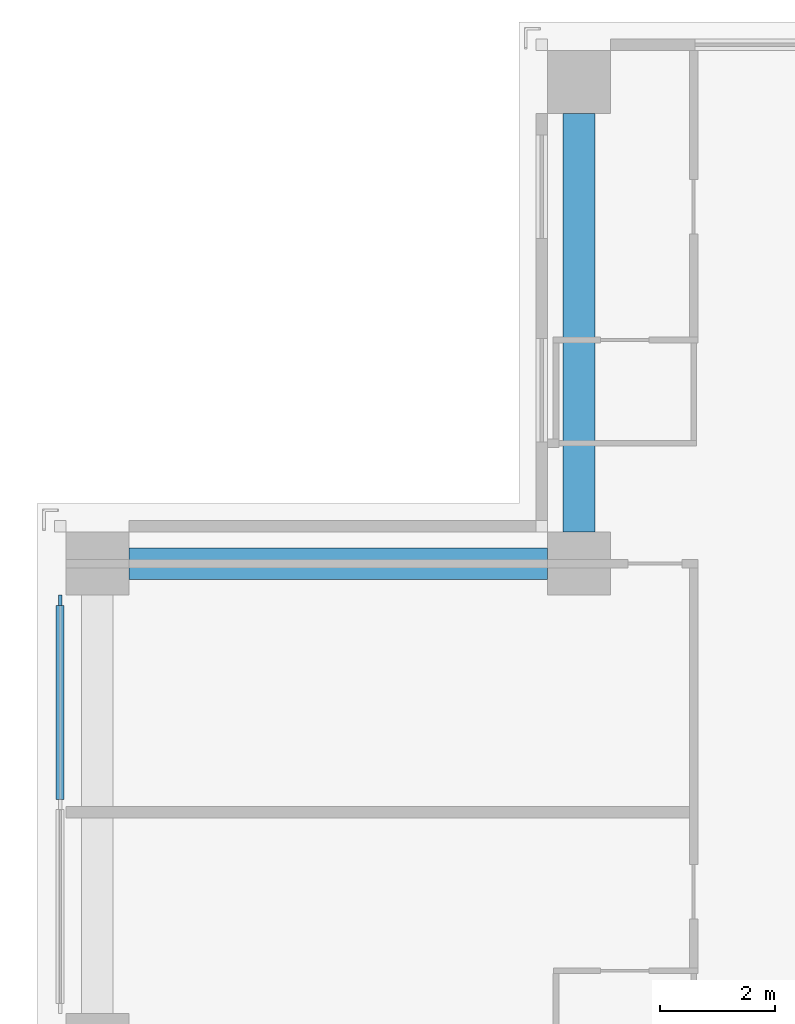
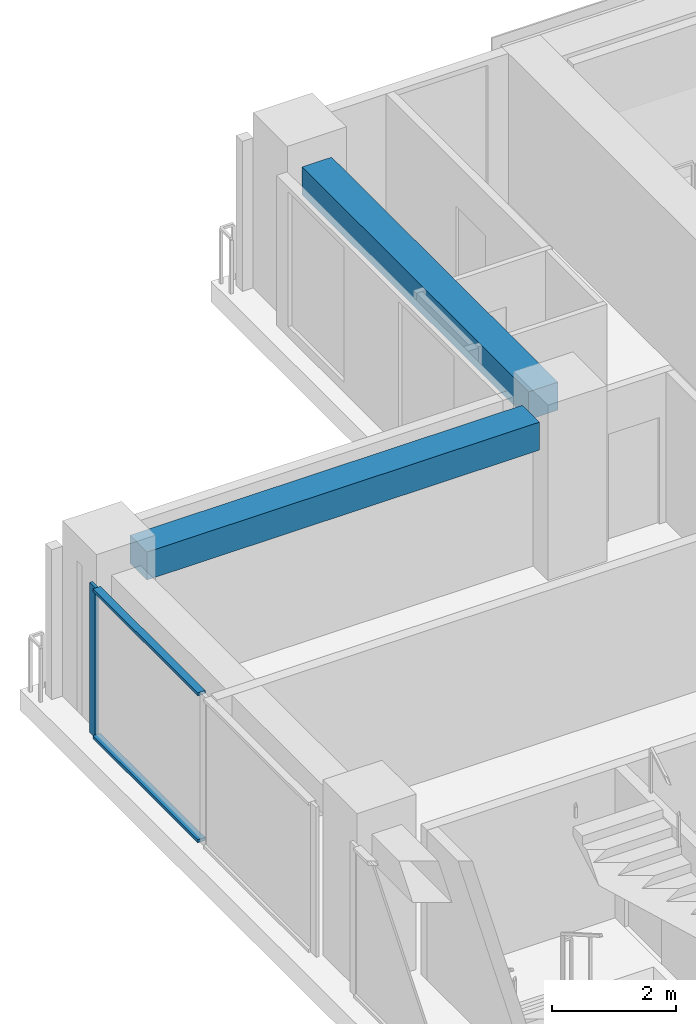
# One storey, part 6 of 16: 3 members, 2 beams, 1 element without a shape of its own.
"""IFC4 building model written with IfcOpenShell, lengths in metres."""

import ifcopenshell
import ifcopenshell.guid

model = None  # the IFC model being written
_history = None  # IfcOwnerHistory: only IFC2X3 demands one
_inside = {}  # id of a spatial element -> (the spatial element, [elements in it])
_under = {}  # id of a project, library or spatial element -> (it, [spatial elements below it])
_declared = {}  # id of a project -> (the project, [libraries it declares])
_typed = {}  # id of a type object -> (the type object, [elements of that type])
_made_of = {}  # id of a material, layer set ... -> (it, [elements and type objects made of it])


def new_model(schema):
    """Start an empty IFC model of exactly this schema.

    Asked for "IFC4X3", IfcOpenShell would pick the latest addendum, in which some entities
    have other attributes; the version numbers below select the first issue.
    IFC2X3 requires an IfcOwnerHistory on every rooted entity: one is made here for all.
    """
    global model, _history
    if schema == "IFC4X3":
        model = ifcopenshell.file(schema_version=(4, 3, 0, 0))
    else:
        model = ifcopenshell.file(schema=schema)
    _inside.clear()
    _under.clear()
    _declared.clear()
    _typed.clear()
    _made_of.clear()
    _history = None
    if model.schema == "IFC2X3":
        org = make("IfcOrganization", Name="unknown")
        user = make(
            "IfcPersonAndOrganization",
            ThePerson=make("IfcPerson", FamilyName="unknown"),
            TheOrganization=org,
        )
        app = make(
            "IfcApplication",
            ApplicationDeveloper=org,
            Version="unknown",
            ApplicationFullName="unknown",
            ApplicationIdentifier="unknown",
        )
        _history = make(
            "IfcOwnerHistory",
            OwningUser=user,
            OwningApplication=app,
            ChangeAction="ADDED",
            CreationDate=0,
        )
    return model


def make(cls, **values):
    """One entity of the class cls with the attributes given. An attribute that is None is left unset."""
    return model.create_entity(
        cls, **{name: value for name, value in values.items() if value is not None}
    )


def rooted(cls, **values):
    """An entity with a GlobalId (a new one), such as an element, a storey or a relation."""
    return make(cls, GlobalId=ifcopenshell.guid.new(), OwnerHistory=_history, **values)


def si_unit(unit_type, name, prefix=None):
    """IfcSIUnit, for example si_unit("LENGTHUNIT", "METRE", prefix="MILLI")."""
    return make("IfcSIUnit", UnitType=unit_type, Prefix=prefix, Name=name)


def assignment(units):
    """IfcUnitAssignment: the units of a project."""
    return None if units is None else make("IfcUnitAssignment", Units=units)


def point(xyz):
    """IfcCartesianPoint."""
    return None if xyz is None else make("IfcCartesianPoint", Coordinates=xyz)


def direction(xyz):
    """IfcDirection."""
    return None if xyz is None else make("IfcDirection", DirectionRatios=xyz)


def frame(location, z_axis=None, x_axis=None):
    """IfcAxis2Placement3D, a coordinate frame: its origin and axes. An axis left out is left unset."""
    return make(
        "IfcAxis2Placement3D",
        Location=point(location),
        Axis=direction(z_axis),
        RefDirection=direction(x_axis),
    )


def frame_2d(location, x_axis=None):
    """IfcAxis2Placement2D, a coordinate frame in the plane: its origin and x axis."""
    return make(
        "IfcAxis2Placement2D", Location=point(location), RefDirection=direction(x_axis)
    )


def origin():
    """The frame at (0, 0, 0) with its axes left unset."""
    return frame((0.0, 0.0, 0.0))


def origin_2d():
    """The frame at (0, 0) in the plane with its x axis left unset."""
    return frame_2d((0.0, 0.0))


def place(relative_to, where):
    """IfcLocalPlacement: puts the frame where relative to a parent placement (None: the world)."""
    return make(
        "IfcLocalPlacement", PlacementRelTo=relative_to, RelativePlacement=where
    )


def context(
    kind, dimensions, precision=None, world=None, true_north=None, identifier=None
):
    """IfcGeometricRepresentationContext, for example the 3D "Model" context."""
    return make(
        "IfcGeometricRepresentationContext",
        ContextIdentifier=identifier,
        ContextType=kind,
        CoordinateSpaceDimension=dimensions,
        Precision=precision,
        WorldCoordinateSystem=world,
        TrueNorth=true_north,
    )


def subcontext(parent, identifier, kind, view, scale=None):
    """IfcGeometricRepresentationSubContext, for example "Body" below "Model"."""
    return make(
        "IfcGeometricRepresentationSubContext",
        ContextIdentifier=identifier,
        ContextType=kind,
        ParentContext=parent,
        TargetScale=scale,
        TargetView=view,
    )


def project(units=None, contexts=None):
    """IfcProject with its units and contexts."""
    return rooted(
        "IfcProject",
        Name="project",
        RepresentationContexts=contexts,
        UnitsInContext=assignment(units),
    )


def spatial(cls, under=None, at=None, **own):
    """A site, building, storey or space (cls), placed at a placement, below another one or the project."""
    s = rooted(cls, ObjectPlacement=at, **own)
    if under is not None:
        _under.setdefault(under.id(), (under, []))[1].append(s)
    return s


def profile(cls, at=None, kind="AREA", **sizes):
    """A parametric profile (cls). Its sizes go by their IFC names, for example OverallWidth=200.0."""
    return make(cls, ProfileType=kind, Position=at, **sizes)


def rectangle(**sizes):
    """IfcRectangleProfileDef."""
    return profile("IfcRectangleProfileDef", **sizes)


def extrude(swept, where, along, depth):
    """IfcExtrudedAreaSolid: the profile swept, set in the frame where, extruded along a direction by depth."""
    return make(
        "IfcExtrudedAreaSolid",
        SweptArea=swept,
        Position=where,
        ExtrudedDirection=direction(along),
        Depth=depth,
    )


def shape(context_of_items, identifier, shape_type, items):
    """IfcShapeRepresentation: the items that make up one representation, for example the "Body"."""
    return make(
        "IfcShapeRepresentation",
        ContextOfItems=context_of_items,
        RepresentationIdentifier=identifier,
        RepresentationType=shape_type,
        Items=items,
    )


def material(Name=None, Category=None):
    """IfcMaterial."""
    return make("IfcMaterial", Name=Name, Category=Category)


def material_profile(
    of_material, cross_section, Name=None, Category=None, Priority=None
):
    """IfcMaterialProfile: a cross section and its material."""
    return make(
        "IfcMaterialProfile",
        Name=Name,
        Material=of_material,
        Profile=cross_section,
        Priority=Priority,
        Category=Category,
    )


def profile_set(profiles, Name=None, composite=None):
    """IfcMaterialProfileSet."""
    return make(
        "IfcMaterialProfileSet",
        Name=Name,
        MaterialProfiles=profiles,
        CompositeProfile=composite,
    )


def made_of(thing, what):
    """Note that an element or type object is made of a material, layer set ...; save() writes the relation."""
    if what is not None:
        _made_of.setdefault(what.id(), (what, []))[1].append(thing)
    return thing


def type_object(cls, material=None, **own):
    """A type object (cls), such as IfcWallType, which elements share."""
    return made_of(rooted(cls, **own), material)


def element(
    cls,
    number,
    at=None,
    inside=None,
    cuts=None,
    type_object=None,
    material=None,
    context=None,
    identifier="Body",
    shape_type=None,
    held_by="IfcProductDefinitionShape",
    body=None,
    shapes=None,
    **own,
):
    """One element of the class cls, such as IfcWall. Its Tag is "e" and its number.

    at: its placement. inside: the storey or other place that contains it. cuts: it is an
    opening in that element (IfcRelVoidsElement). A single representation is given by context,
    identifier, shape_type and body (its items); several are given by shapes. held_by: the class
    of the entity that holds the representations. save() writes the other relations.
    """
    e = rooted(cls, Tag="e%d" % number, ObjectPlacement=at, **own)
    if body is not None:
        shapes = [shape(context, identifier, shape_type, body)]
    if shapes is not None:
        e.Representation = make(held_by, Representations=shapes)
    if inside is not None:
        _inside.setdefault(inside.id(), (inside, []))[1].append(e)
    if cuts is not None:
        rooted(
            "IfcRelVoidsElement", RelatingBuildingElement=cuts, RelatedOpeningElement=e
        )
    if type_object is not None:
        _typed.setdefault(type_object.id(), (type_object, []))[1].append(e)
    return made_of(e, material)


def aggregate(whole, parts):
    """IfcRelAggregates: a whole, such as a stair, and the parts it consists of."""
    return rooted("IfcRelAggregates", RelatingObject=whole, RelatedObjects=parts)


def save(model, path):
    """Write the relations noted so far, then the file.

    IfcRelAggregates (storeys below a building ...), IfcRelContainedInSpatialStructure (elements
    in a storey), IfcRelDefinesByType, IfcRelAssociatesMaterial and IfcRelDeclares: one each for
    every whole, place, type object, material and project.
    """
    for whole, parts in _under.values():
        aggregate(whole, parts)
    for where, things in _inside.values():
        rooted(
            "IfcRelContainedInSpatialStructure",
            RelatedElements=things,
            RelatingStructure=where,
        )
    for kind, things in _typed.values():
        rooted("IfcRelDefinesByType", RelatedObjects=things, RelatingType=kind)
    for what, things in _made_of.values():
        rooted("IfcRelAssociatesMaterial", RelatedObjects=things, RelatingMaterial=what)
    for by, libraries in _declared.values():
        rooted("IfcRelDeclares", RelatingContext=by, RelatedDefinitions=libraries)
    model.write(path)


model = new_model("IFC4")

# Units and contexts
model_context = context("Model", 3, precision=1e-05, world=origin(), true_north=direction((0.0, 1.0)))
body_context = subcontext(model_context, "Body", "Model", "MODEL_VIEW")
ifc_project = project(units=[si_unit("LENGTHUNIT", "METRE"), si_unit("AREAUNIT", "SQUARE_METRE"), si_unit("VOLUMEUNIT", "CUBIC_METRE"), si_unit("PLANEANGLEUNIT", "RADIAN"), si_unit("MASSUNIT", "GRAM", prefix="KILO")], contexts=[model_context])

# Site, building, storey
site_placement = place(None, origin())
site = spatial("IfcSite", under=ifc_project, at=site_placement, CompositionType="ELEMENT")
building_placement = place(site_placement, origin())
building = spatial("IfcBuilding", under=site, at=building_placement, Name="Vermilion Ogive Tower", CompositionType="ELEMENT")
storey_placement = place(building_placement, frame((0.0, 0.0, 167.60009765625)))
storey = spatial("IfcBuildingStorey", under=building, at=storey_placement, Name="L43", CompositionType="ELEMENT", Elevation=167.60009765625)

# Curtain wall, members
ifc_material_1 = material(Name="Low-iron laminated glazing in aluminium frame", Category="aluminium")
curtain_wall_type = type_object("IfcCurtainWallType", Name="Curtain wall CW7", PredefinedType="NOTDEFINED", material=ifc_material_1)
curtain_wall_placement = place(storey_placement, origin())
curtain_wall = element("IfcCurtainWall", 1, at=curtain_wall_placement, inside=storey, type_object=curtain_wall_type, Name="Glazed skin W1", PredefinedType="NOTDEFINED")
ifc_material_2 = material(Name="Aluminium mullion", Category="aluminium")
ifc_material_profile_1 = material_profile(ifc_material_2, rectangle(XDim=0.06005859375, YDim=0.179931640625, at=origin_2d()), Name="AL 60x180")
ifc_profile_set_1 = profile_set([ifc_material_profile_1], Name="Aluminium mullion")
member_type_1 = type_object("IfcMemberType", Name="CW7 mullion 60x180", PredefinedType="MULLION", material=ifc_profile_set_1)
member_1_placement = place(storey_placement, frame((-21.64990234375, 11.9599609375, 0.0), z_axis=(0.0, 0.0, 1.0), x_axis=(1.0, 0.0, 0.0)))
member_1 = element("IfcMember", 2, at=member_1_placement, type_object=member_type_1, Name="CW7-W1 mullion 1", PredefinedType="MULLION", context=body_context, shape_type="SweptSolid", body=[
    extrude(rectangle(XDim=0.06005859375, YDim=0.179931640625, at=origin_2d()), origin(), (0.0, 0.0, 1.0), 2.949951171875),
])
ifc_material_3 = material(Name="Aluminium transom", Category="aluminium")
ifc_material_profile_2 = material_profile(ifc_material_3, rectangle(XDim=0.139892578125, YDim=0.06005859375, at=origin_2d()), Name="AL 60x140")
ifc_profile_set_2 = profile_set([ifc_material_profile_2], Name="Aluminium transom")
member_type_2 = type_object("IfcMemberType", Name="CW7 transom 60x140", PredefinedType="USERDEFINED", material=ifc_profile_set_2)
member_2_placement = place(storey_placement, frame((-21.64990234375, 11.8701171875, 0.02978515625), z_axis=(0.0, -1.0, 0.0), x_axis=(1.0, 0.0, 0.0)))
member_2 = element("IfcMember", 3, at=member_2_placement, type_object=member_type_2, Name="CW7-W1 transom 1.1", ObjectType="TRANSOM", PredefinedType="USERDEFINED", context=body_context, shape_type="SweptSolid", body=[
    extrude(rectangle(XDim=0.139892578125, YDim=0.06005859375, at=origin_2d()), origin(), (0.0, 0.0, 1.0), 3.380126953125),
])
member_3_placement = place(storey_placement, frame((-21.64990234375, 11.8701171875, 2.919921875), z_axis=(0.0, -1.0, 0.0), x_axis=(1.0, 0.0, 0.0)))
member_3 = element("IfcMember", 4, at=member_3_placement, type_object=member_type_2, Name="CW7-W1 transom 1.2", ObjectType="TRANSOM", PredefinedType="USERDEFINED", context=body_context, shape_type="SweptSolid", body=[
    extrude(rectangle(XDim=0.139892578125, YDim=0.06005859375, at=origin_2d()), origin(), (0.0, 0.0, 1.0), 3.380126953125),
])
aggregate(curtain_wall, [member_1, member_2, member_3])

# Beams
ifc_material_4 = material(Name="Concrete B45", Category="concrete")
ifc_material_profile_3 = material_profile(ifc_material_4, rectangle(XDim=0.550048828125, YDim=0.550048828125, at=origin_2d()), Name="550 x 550")
ifc_profile_set_3 = profile_set([ifc_material_profile_3], Name="Concrete B45")
beam_type = type_object("IfcBeamType", Name="Edge beam 550 x 550 B45", PredefinedType="BEAM", material=ifc_profile_set_3)
for number, where, z_axis, x_axis, name in (
    (5, (-12.60009765625, 20.449951171875, 2.6748046875), (0.0, -1.0, 0.0), (1.0, 0.0, 0.0), "L43-EB-11"),
    (6, (-13.14990234375, 12.60009765625, 2.6748046875), (-1.0, 0.0, 0.0), (0.0, -1.0, 0.0), "L43-EB-12"),
):
    element("IfcBeam", number, at=place(storey_placement, frame(where, z_axis=z_axis, x_axis=x_axis)), inside=storey, type_object=beam_type, Name=name, PredefinedType="BEAM", context=body_context, shape_type="SweptSolid", body=[
        extrude(rectangle(XDim=0.550048828125, YDim=0.550048828125, at=origin_2d()), origin(), (0.0, 0.0, 1.0), 7.300048828125),
    ])

save(model, "model.ifc")
